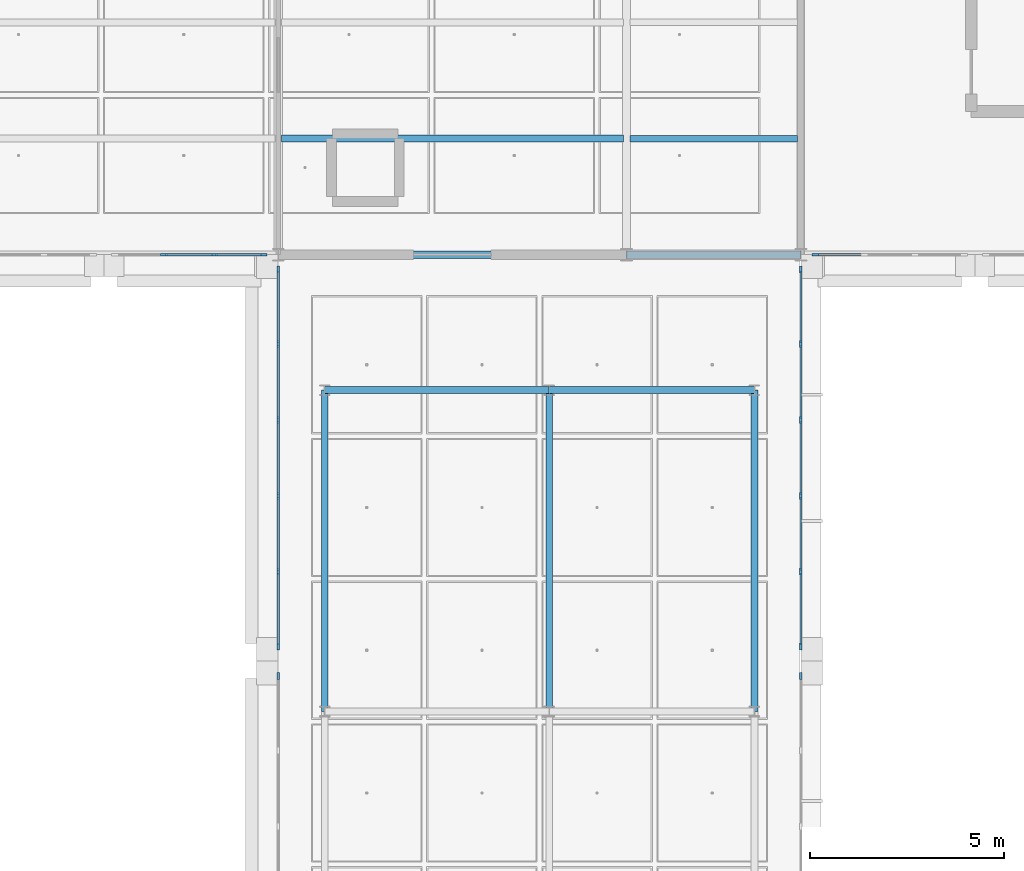
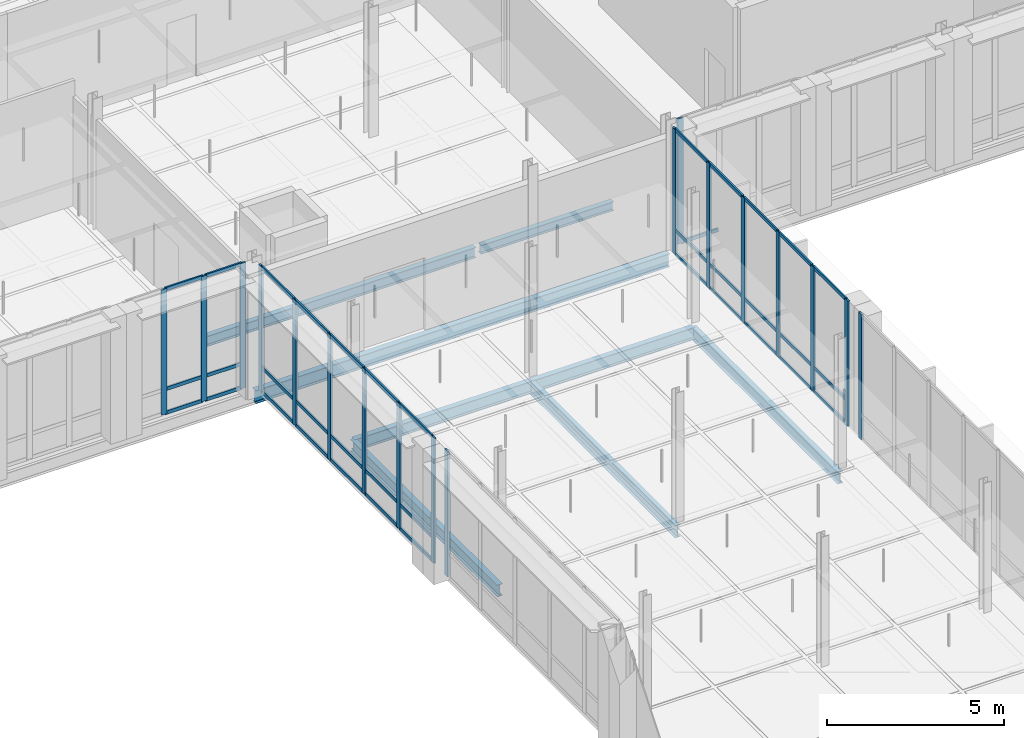
# One storey, part 39 of 130: 55 members, 9 beams, 6 elements without a shape of their own.
"""IFC4 building model written with IfcOpenShell, lengths in metres."""

from ifc_helpers import new_model, si_unit, direction, frame, origin, origin_2d, place, context, subcontext, project, spatial, rectangle, i_section, extrude, material, material_profile, profile_set, type_object, element, aggregate, save


model = new_model("IFC4")

# Units and contexts
model_context = context("Model", 3, precision=1e-05, world=origin(), true_north=direction((0.0, 1.0)))
body_context = subcontext(model_context, "Body", "Model", "MODEL_VIEW")
ifc_project = project(units=[si_unit("LENGTHUNIT", "METRE"), si_unit("AREAUNIT", "SQUARE_METRE"), si_unit("VOLUMEUNIT", "CUBIC_METRE"), si_unit("PLANEANGLEUNIT", "RADIAN"), si_unit("MASSUNIT", "GRAM", prefix="KILO"), si_unit("THERMODYNAMICTEMPERATUREUNIT", "KELVIN"), si_unit("POWERUNIT", "WATT")], contexts=[model_context])

# Site, building, storey
site_placement = place(None, origin())
site = spatial("IfcSite", under=ifc_project, at=site_placement, CompositionType="ELEMENT")
building_placement = place(site_placement, origin())
building = spatial("IfcBuilding", under=site, at=building_placement, Name="Tallowbark Science Centre", CompositionType="ELEMENT")
storey_placement = place(building_placement, frame((0.0, 0.0, 5.39990234375)))
storey = spatial("IfcBuildingStorey", under=building, at=storey_placement, Name="L01", CompositionType="ELEMENT", Elevation=5.39990234375)

# Beams
ifc_material_1 = material(Name="Structural Steel Grade 300PLUS (300 MPa)", Category="steel")
ifc_material_profile_1 = material_profile(ifc_material_1, i_section(OverallWidth=0.177734375, OverallDepth=0.406494140625, WebThickness=0.0078125, FlangeThickness=0.0126953125, FilletRadius=0.011474609375, at=origin_2d()), Name="410UB59.7")
ifc_profile_set_1 = profile_set([ifc_material_profile_1], Name="Structural Steel Grade 300PLUS (300 MPa)")
beam_type_1 = type_object("IfcBeamType", Name="BM-UB410", PredefinedType="BEAM", material=ifc_profile_set_1)
beam_1_placement = place(storey_placement, frame((100.199951171875, 68.5, -0.383056640625), z_axis=(1.0, 0.0, 0.0), x_axis=(0.0, 1.0, 0.0)))
element("IfcBeam", 1, at=beam_1_placement, inside=storey, type_object=beam_type_1, Name="Primary Girder GRDX-L01-1002-1060-685", PredefinedType="BEAM", context=body_context, shape_type="SweptSolid", body=[
    extrude(i_section(OverallWidth=0.177734375, OverallDepth=0.406494140625, WebThickness=0.0078125, FlangeThickness=0.0126953125, FilletRadius=0.011474609375, at=origin_2d()), origin(), (0.0, 0.0, 1.0), 5.800048828125),
])
beam_2_placement = place(storey_placement, frame((106.0, 68.5, -0.383056640625), z_axis=(1.0, 0.0, 0.0), x_axis=(0.0, 1.0, 0.0)))
element("IfcBeam", 2, at=beam_2_placement, inside=storey, type_object=beam_type_1, Name="Primary Girder GRDX-L01-1060-1113-685", PredefinedType="BEAM", context=body_context, shape_type="SweptSolid", body=[
    extrude(i_section(OverallWidth=0.177734375, OverallDepth=0.406494140625, WebThickness=0.0078125, FlangeThickness=0.0126953125, FilletRadius=0.011474609375, at=origin_2d()), origin(), (0.0, 0.0, 1.0), 5.300048828125),
])
for number, where, z_axis, x_axis, name in (
    (3, (100.199951171875, 60.199951171875, -0.383056640625), (0.0, 1.0, 0.0), (-1.0, 0.0, 0.0), "Primary Girder GRDY-L01-1002-602-685"),
    (4, (106.0, 60.199951171875, -0.383056640625), (0.0, 1.0, 0.0), (-1.0, 0.0, 0.0), "Primary Girder GRDY-L01-1060-602-685"),
    (5, (111.300048828125, 60.199951171875, -0.383056640625), (0.0, 1.0, 0.0), (-1.0, 0.0, 0.0), "Primary Girder GRDY-L01-1113-602-685"),
):
    element("IfcBeam", number, at=place(storey_placement, frame(where, z_axis=z_axis, x_axis=x_axis)), inside=storey, type_object=beam_type_1, Name=name, PredefinedType="BEAM", context=body_context, shape_type="SweptSolid", body=[
        extrude(i_section(OverallWidth=0.177734375, OverallDepth=0.406494140625, WebThickness=0.0078125, FlangeThickness=0.0126953125, FilletRadius=0.011474609375, at=origin_2d()), origin(), (0.0, 0.0, 1.0), 8.300048828125),
    ])

# Curtain wall, member
ifc_material_2 = material(Name="Unitised Thermally Broken Aluminium and Low-E Double Glazing", Category="aluminium")
curtain_wall_type = type_object("IfcCurtainWallType", Name="CW-SYS-FACADE", PredefinedType="NOTDEFINED", material=ifc_material_2)
curtain_wall_1_placement = place(storey_placement, origin())
curtain_wall_1 = element("IfcCurtainWall", 6, at=curtain_wall_1_placement, inside=storey, type_object=curtain_wall_type, Name="Unitised Curtain Wall LNK-W-1 CW-L01-012", PredefinedType="NOTDEFINED")
ifc_material_3 = material(Name="Anodised Architectural Aluminium Alloy 6063-T6", Category="aluminium")
ifc_material_profile_2 = material_profile(ifc_material_3, rectangle(XDim=0.06494140625, YDim=0.179931640625, at=origin_2d()), Name="ALU65x180")
ifc_profile_set_2 = profile_set([ifc_material_profile_2], Name="Anodised Architectural Aluminium Alloy 6063-T6")
member_type_1 = type_object("IfcMemberType", Name="CWM-MUL-220", PredefinedType="MULLION", material=ifc_profile_set_2)
member_1_placement = place(storey_placement, frame((99.0, 61.117431640625, 0.0), z_axis=(0.0, 0.0, 1.0), x_axis=(1.0, 0.0, 0.0)))
member_1 = element("IfcMember", 7, at=member_1_placement, type_object=member_type_1, Name="CW-01 mullion 1", PredefinedType="MULLION", context=body_context, shape_type="SweptSolid", body=[
    extrude(rectangle(XDim=0.06494140625, YDim=0.179931640625, at=origin_2d()), origin(), (0.0, 0.0, 1.0), 4.320068359375),
])
aggregate(curtain_wall_1, [member_1])

curtain_wall_2_placement = place(storey_placement, origin())
curtain_wall_2 = element("IfcCurtainWall", 8, at=curtain_wall_2_placement, inside=storey, type_object=curtain_wall_type, Name="Unitised Curtain Wall LNK-E-1 CW-L01-013", PredefinedType="NOTDEFINED")
member_2_placement = place(storey_placement, frame((112.5, 61.117431640625, 0.0), z_axis=(0.0, 0.0, 1.0), x_axis=(-1.0, 0.0, 0.0)))
member_2 = element("IfcMember", 9, at=member_2_placement, type_object=member_type_1, Name="CW-01 mullion 6", PredefinedType="MULLION", context=body_context, shape_type="SweptSolid", body=[
    extrude(rectangle(XDim=0.06494140625, YDim=0.179931640625, at=origin_2d()), origin(), (0.0, 0.0, 1.0), 4.320068359375),
])
aggregate(curtain_wall_2, [member_2])

# Curtain wall, members
curtain_wall_3_placement = place(storey_placement, origin())
curtain_wall_3 = element("IfcCurtainWall", 10, at=curtain_wall_3_placement, inside=storey, type_object=curtain_wall_type, Name="Unitised Curtain Wall LNK-W-2 CW-L01-014", PredefinedType="NOTDEFINED")
member_3_placement = place(storey_placement, frame((99.0, 71.617431640625, 0.0), z_axis=(0.0, 0.0, 1.0), x_axis=(1.0, 0.0, 0.0)))
member_3 = element("IfcMember", 11, at=member_3_placement, type_object=member_type_1, Name="CW-01 mullion 1", PredefinedType="MULLION", context=body_context, shape_type="SweptSolid", body=[
    extrude(rectangle(XDim=0.06494140625, YDim=0.179931640625, at=origin_2d()), origin(), (0.0, 0.0, 1.0), 4.320068359375),
])
member_4_placement = place(storey_placement, frame((99.0, 69.68994140625, 0.0), z_axis=(0.0, 0.0, 1.0), x_axis=(1.0, 0.0, 0.0)))
member_4 = element("IfcMember", 12, at=member_4_placement, type_object=member_type_1, Name="CW-01 mullion 2", PredefinedType="MULLION", context=body_context, shape_type="SweptSolid", body=[
    extrude(rectangle(XDim=0.06494140625, YDim=0.179931640625, at=origin_2d()), origin(), (0.0, 0.0, 1.0), 4.320068359375),
])
member_5_placement = place(storey_placement, frame((99.0, 67.72998046875, 0.0), z_axis=(0.0, 0.0, 1.0), x_axis=(1.0, 0.0, 0.0)))
member_5 = element("IfcMember", 13, at=member_5_placement, type_object=member_type_1, Name="CW-01 mullion 3", PredefinedType="MULLION", context=body_context, shape_type="SweptSolid", body=[
    extrude(rectangle(XDim=0.06494140625, YDim=0.179931640625, at=origin_2d()), origin(), (0.0, 0.0, 1.0), 4.320068359375),
])
member_6_placement = place(storey_placement, frame((99.0, 65.77001953125, 0.0), z_axis=(0.0, 0.0, 1.0), x_axis=(1.0, 0.0, 0.0)))
member_6 = element("IfcMember", 14, at=member_6_placement, type_object=member_type_1, Name="CW-01 mullion 4", PredefinedType="MULLION", context=body_context, shape_type="SweptSolid", body=[
    extrude(rectangle(XDim=0.06494140625, YDim=0.179931640625, at=origin_2d()), origin(), (0.0, 0.0, 1.0), 4.320068359375),
])
member_7_placement = place(storey_placement, frame((99.0, 63.81005859375, 0.0), z_axis=(0.0, 0.0, 1.0), x_axis=(1.0, 0.0, 0.0)))
member_7 = element("IfcMember", 15, at=member_7_placement, type_object=member_type_1, Name="CW-01 mullion 5", PredefinedType="MULLION", context=body_context, shape_type="SweptSolid", body=[
    extrude(rectangle(XDim=0.06494140625, YDim=0.179931640625, at=origin_2d()), origin(), (0.0, 0.0, 1.0), 4.320068359375),
])
member_8_placement = place(storey_placement, frame((99.0, 61.882568359375, 0.0), z_axis=(0.0, 0.0, 1.0), x_axis=(1.0, 0.0, 0.0)))
member_8 = element("IfcMember", 16, at=member_8_placement, type_object=member_type_1, Name="CW-01 mullion 6", PredefinedType="MULLION", context=body_context, shape_type="SweptSolid", body=[
    extrude(rectangle(XDim=0.06494140625, YDim=0.179931640625, at=origin_2d()), origin(), (0.0, 0.0, 1.0), 4.320068359375),
])

curtain_wall_4_placement = place(storey_placement, origin())
curtain_wall_4 = element("IfcCurtainWall", 17, at=curtain_wall_4_placement, inside=storey, type_object=curtain_wall_type, Name="Unitised Curtain Wall LNK-E-2 CW-L01-015", PredefinedType="NOTDEFINED")
member_9_placement = place(storey_placement, frame((112.5, 61.882568359375, 0.0), z_axis=(0.0, 0.0, 1.0), x_axis=(-1.0, 0.0, 0.0)))
member_9 = element("IfcMember", 18, at=member_9_placement, type_object=member_type_1, Name="CW-01 mullion 1", PredefinedType="MULLION", context=body_context, shape_type="SweptSolid", body=[
    extrude(rectangle(XDim=0.06494140625, YDim=0.179931640625, at=origin_2d()), origin(), (0.0, 0.0, 1.0), 4.320068359375),
])
member_10_placement = place(storey_placement, frame((112.5, 63.81005859375, 0.0), z_axis=(0.0, 0.0, 1.0), x_axis=(-1.0, 0.0, 0.0)))
member_10 = element("IfcMember", 19, at=member_10_placement, type_object=member_type_1, Name="CW-01 mullion 2", PredefinedType="MULLION", context=body_context, shape_type="SweptSolid", body=[
    extrude(rectangle(XDim=0.06494140625, YDim=0.179931640625, at=origin_2d()), origin(), (0.0, 0.0, 1.0), 4.320068359375),
])
member_11_placement = place(storey_placement, frame((112.5, 65.77001953125, 0.0), z_axis=(0.0, 0.0, 1.0), x_axis=(-1.0, 0.0, 0.0)))
member_11 = element("IfcMember", 20, at=member_11_placement, type_object=member_type_1, Name="CW-01 mullion 3", PredefinedType="MULLION", context=body_context, shape_type="SweptSolid", body=[
    extrude(rectangle(XDim=0.06494140625, YDim=0.179931640625, at=origin_2d()), origin(), (0.0, 0.0, 1.0), 4.320068359375),
])
member_12_placement = place(storey_placement, frame((112.5, 67.72998046875, 0.0), z_axis=(0.0, 0.0, 1.0), x_axis=(-1.0, 0.0, 0.0)))
member_12 = element("IfcMember", 21, at=member_12_placement, type_object=member_type_1, Name="CW-01 mullion 4", PredefinedType="MULLION", context=body_context, shape_type="SweptSolid", body=[
    extrude(rectangle(XDim=0.06494140625, YDim=0.179931640625, at=origin_2d()), origin(), (0.0, 0.0, 1.0), 4.320068359375),
])
member_13_placement = place(storey_placement, frame((112.5, 69.68994140625, 0.0), z_axis=(0.0, 0.0, 1.0), x_axis=(-1.0, 0.0, 0.0)))
member_13 = element("IfcMember", 22, at=member_13_placement, type_object=member_type_1, Name="CW-01 mullion 5", PredefinedType="MULLION", context=body_context, shape_type="SweptSolid", body=[
    extrude(rectangle(XDim=0.06494140625, YDim=0.179931640625, at=origin_2d()), origin(), (0.0, 0.0, 1.0), 4.320068359375),
])
member_14_placement = place(storey_placement, frame((112.5, 71.617431640625, 0.0), z_axis=(0.0, 0.0, 1.0), x_axis=(-1.0, 0.0, 0.0)))
member_14 = element("IfcMember", 23, at=member_14_placement, type_object=member_type_1, Name="CW-01 mullion 6", PredefinedType="MULLION", context=body_context, shape_type="SweptSolid", body=[
    extrude(rectangle(XDim=0.06494140625, YDim=0.179931640625, at=origin_2d()), origin(), (0.0, 0.0, 1.0), 4.320068359375),
])

curtain_wall_5_placement = place(storey_placement, origin())
curtain_wall_5 = element("IfcCurtainWall", 24, at=curtain_wall_5_placement, inside=storey, type_object=curtain_wall_type, Name="Unitised Curtain Wall LAB-S-90B CW-L01-044", PredefinedType="NOTDEFINED")
member_15_placement = place(storey_placement, frame((96.050048828125, 72.0, 0.0), z_axis=(0.0, 0.0, 1.0), x_axis=(0.0, 1.0, 0.0)))
member_15 = element("IfcMember", 25, at=member_15_placement, type_object=member_type_1, Name="CW-01 mullion 2", PredefinedType="MULLION", context=body_context, shape_type="SweptSolid", body=[
    extrude(rectangle(XDim=0.06494140625, YDim=0.179931640625, at=origin_2d()), origin(), (0.0, 0.0, 1.0), 4.320068359375),
])
member_16_placement = place(storey_placement, frame((97.35009765625, 72.0, 0.0), z_axis=(0.0, 0.0, 1.0), x_axis=(0.0, 1.0, 0.0)))
member_16 = element("IfcMember", 26, at=member_16_placement, type_object=member_type_1, Name="CW-01 mullion 3", PredefinedType="MULLION", context=body_context, shape_type="SweptSolid", body=[
    extrude(rectangle(XDim=0.06494140625, YDim=0.179931640625, at=origin_2d()), origin(), (0.0, 0.0, 1.0), 4.320068359375),
])
member_17_placement = place(storey_placement, frame((98.617431640625, 72.0, 0.0), z_axis=(0.0, 0.0, 1.0), x_axis=(0.0, 1.0, 0.0)))
member_17 = element("IfcMember", 27, at=member_17_placement, type_object=member_type_1, Name="CW-01 mullion 4", PredefinedType="MULLION", context=body_context, shape_type="SweptSolid", body=[
    extrude(rectangle(XDim=0.06494140625, YDim=0.179931640625, at=origin_2d()), origin(), (0.0, 0.0, 1.0), 4.320068359375),
])

# Curtain wall, member
curtain_wall_6_placement = place(storey_placement, origin())
curtain_wall_6 = element("IfcCurtainWall", 28, at=curtain_wall_6_placement, inside=storey, type_object=curtain_wall_type, Name="Unitised Curtain Wall OBS-S-112A CW-L01-112", PredefinedType="NOTDEFINED")
member_18_placement = place(storey_placement, frame((112.882568359375, 72.0, 0.0), z_axis=(0.0, 0.0, 1.0), x_axis=(0.0, 1.0, 0.0)))
member_18 = element("IfcMember", 29, at=member_18_placement, type_object=member_type_1, Name="CW-01 mullion 1", PredefinedType="MULLION", context=body_context, shape_type="SweptSolid", body=[
    extrude(rectangle(XDim=0.06494140625, YDim=0.179931640625, at=origin_2d()), origin(), (0.0, 0.0, 1.0), 4.320068359375),
])

# Member
ifc_material_profile_3 = material_profile(ifc_material_3, rectangle(XDim=0.054931640625, YDim=0.1201171875, at=origin_2d()), Name="ALU55x120")
ifc_profile_set_3 = profile_set([ifc_material_profile_3], Name="Anodised Architectural Aluminium Alloy 6063-T6")
member_type_2 = type_object("IfcMemberType", Name="CWM-TRN-150", PredefinedType="USERDEFINED", material=ifc_profile_set_3)
member_19_placement = place(storey_placement, frame((99.0, 71.5849609375, 0.027587890625), z_axis=(0.0, -1.0, 0.0), x_axis=(1.0, 0.0, 0.0)))
member_19 = element("IfcMember", 30, at=member_19_placement, type_object=member_type_2, Name="CW-01 transom 1.1", ObjectType="TRANSOM", PredefinedType="USERDEFINED", context=body_context, shape_type="SweptSolid", body=[
    extrude(rectangle(XDim=0.054931640625, YDim=0.1201171875, at=origin_2d()), origin(), (0.0, 0.0, 1.0), 1.862548828125),
])

member_20_placement = place(storey_placement, frame((99.0, 71.5849609375, 0.85009765625), z_axis=(0.0, -1.0, 0.0), x_axis=(1.0, 0.0, 0.0)))
member_20 = element("IfcMember", 31, at=member_20_placement, type_object=member_type_2, Name="CW-01 transom 1.2", ObjectType="TRANSOM", PredefinedType="USERDEFINED", context=body_context, shape_type="SweptSolid", body=[
    extrude(rectangle(XDim=0.054931640625, YDim=0.1201171875, at=origin_2d()), origin(), (0.0, 0.0, 1.0), 1.862548828125),
])

member_21_placement = place(storey_placement, frame((99.0, 71.5849609375, 4.29248046875), z_axis=(0.0, -1.0, 0.0), x_axis=(1.0, 0.0, 0.0)))
member_21 = element("IfcMember", 32, at=member_21_placement, type_object=member_type_2, Name="CW-01 transom 1.3", ObjectType="TRANSOM", PredefinedType="USERDEFINED", context=body_context, shape_type="SweptSolid", body=[
    extrude(rectangle(XDim=0.054931640625, YDim=0.1201171875, at=origin_2d()), origin(), (0.0, 0.0, 1.0), 1.862548828125),
])

member_22_placement = place(storey_placement, frame((99.0, 69.657470703125, 0.027587890625), z_axis=(0.0, -1.0, 0.0), x_axis=(1.0, 0.0, 0.0)))
member_22 = element("IfcMember", 33, at=member_22_placement, type_object=member_type_2, Name="CW-01 transom 2.1", ObjectType="TRANSOM", PredefinedType="USERDEFINED", context=body_context, shape_type="SweptSolid", body=[
    extrude(rectangle(XDim=0.054931640625, YDim=0.1201171875, at=origin_2d()), origin(), (0.0, 0.0, 1.0), 1.89501953125),
])

member_23_placement = place(storey_placement, frame((99.0, 69.657470703125, 0.85009765625), z_axis=(0.0, -1.0, 0.0), x_axis=(1.0, 0.0, 0.0)))
member_23 = element("IfcMember", 34, at=member_23_placement, type_object=member_type_2, Name="CW-01 transom 2.2", ObjectType="TRANSOM", PredefinedType="USERDEFINED", context=body_context, shape_type="SweptSolid", body=[
    extrude(rectangle(XDim=0.054931640625, YDim=0.1201171875, at=origin_2d()), origin(), (0.0, 0.0, 1.0), 1.89501953125),
])

member_24_placement = place(storey_placement, frame((99.0, 69.657470703125, 4.29248046875), z_axis=(0.0, -1.0, 0.0), x_axis=(1.0, 0.0, 0.0)))
member_24 = element("IfcMember", 35, at=member_24_placement, type_object=member_type_2, Name="CW-01 transom 2.3", ObjectType="TRANSOM", PredefinedType="USERDEFINED", context=body_context, shape_type="SweptSolid", body=[
    extrude(rectangle(XDim=0.054931640625, YDim=0.1201171875, at=origin_2d()), origin(), (0.0, 0.0, 1.0), 1.89501953125),
])

member_25_placement = place(storey_placement, frame((99.0, 67.697509765625, 0.027587890625), z_axis=(0.0, -1.0, 0.0), x_axis=(1.0, 0.0, 0.0)))
member_25 = element("IfcMember", 36, at=member_25_placement, type_object=member_type_2, Name="CW-01 transom 3.1", ObjectType="TRANSOM", PredefinedType="USERDEFINED", context=body_context, shape_type="SweptSolid", body=[
    extrude(rectangle(XDim=0.054931640625, YDim=0.1201171875, at=origin_2d()), origin(), (0.0, 0.0, 1.0), 1.89501953125),
])

member_26_placement = place(storey_placement, frame((99.0, 67.697509765625, 0.85009765625), z_axis=(0.0, -1.0, 0.0), x_axis=(1.0, 0.0, 0.0)))
member_26 = element("IfcMember", 37, at=member_26_placement, type_object=member_type_2, Name="CW-01 transom 3.2", ObjectType="TRANSOM", PredefinedType="USERDEFINED", context=body_context, shape_type="SweptSolid", body=[
    extrude(rectangle(XDim=0.054931640625, YDim=0.1201171875, at=origin_2d()), origin(), (0.0, 0.0, 1.0), 1.89501953125),
])

member_27_placement = place(storey_placement, frame((99.0, 67.697509765625, 4.29248046875), z_axis=(0.0, -1.0, 0.0), x_axis=(1.0, 0.0, 0.0)))
member_27 = element("IfcMember", 38, at=member_27_placement, type_object=member_type_2, Name="CW-01 transom 3.3", ObjectType="TRANSOM", PredefinedType="USERDEFINED", context=body_context, shape_type="SweptSolid", body=[
    extrude(rectangle(XDim=0.054931640625, YDim=0.1201171875, at=origin_2d()), origin(), (0.0, 0.0, 1.0), 1.89501953125),
])

member_28_placement = place(storey_placement, frame((99.0, 65.737548828125, 0.027587890625), z_axis=(0.0, -1.0, 0.0), x_axis=(1.0, 0.0, 0.0)))
member_28 = element("IfcMember", 39, at=member_28_placement, type_object=member_type_2, Name="CW-01 transom 4.1", ObjectType="TRANSOM", PredefinedType="USERDEFINED", context=body_context, shape_type="SweptSolid", body=[
    extrude(rectangle(XDim=0.054931640625, YDim=0.1201171875, at=origin_2d()), origin(), (0.0, 0.0, 1.0), 1.89501953125),
])

member_29_placement = place(storey_placement, frame((99.0, 65.737548828125, 0.85009765625), z_axis=(0.0, -1.0, 0.0), x_axis=(1.0, 0.0, 0.0)))
member_29 = element("IfcMember", 40, at=member_29_placement, type_object=member_type_2, Name="CW-01 transom 4.2", ObjectType="TRANSOM", PredefinedType="USERDEFINED", context=body_context, shape_type="SweptSolid", body=[
    extrude(rectangle(XDim=0.054931640625, YDim=0.1201171875, at=origin_2d()), origin(), (0.0, 0.0, 1.0), 1.89501953125),
])

member_30_placement = place(storey_placement, frame((99.0, 65.737548828125, 4.29248046875), z_axis=(0.0, -1.0, 0.0), x_axis=(1.0, 0.0, 0.0)))
member_30 = element("IfcMember", 41, at=member_30_placement, type_object=member_type_2, Name="CW-01 transom 4.3", ObjectType="TRANSOM", PredefinedType="USERDEFINED", context=body_context, shape_type="SweptSolid", body=[
    extrude(rectangle(XDim=0.054931640625, YDim=0.1201171875, at=origin_2d()), origin(), (0.0, 0.0, 1.0), 1.89501953125),
])

member_31_placement = place(storey_placement, frame((99.0, 63.777587890625, 0.027587890625), z_axis=(0.0, -1.0, 0.0), x_axis=(1.0, 0.0, 0.0)))
member_31 = element("IfcMember", 42, at=member_31_placement, type_object=member_type_2, Name="CW-01 transom 5.1", ObjectType="TRANSOM", PredefinedType="USERDEFINED", context=body_context, shape_type="SweptSolid", body=[
    extrude(rectangle(XDim=0.054931640625, YDim=0.1201171875, at=origin_2d()), origin(), (0.0, 0.0, 1.0), 1.862548828125),
])

member_32_placement = place(storey_placement, frame((99.0, 63.777587890625, 0.85009765625), z_axis=(0.0, -1.0, 0.0), x_axis=(1.0, 0.0, 0.0)))
member_32 = element("IfcMember", 43, at=member_32_placement, type_object=member_type_2, Name="CW-01 transom 5.2", ObjectType="TRANSOM", PredefinedType="USERDEFINED", context=body_context, shape_type="SweptSolid", body=[
    extrude(rectangle(XDim=0.054931640625, YDim=0.1201171875, at=origin_2d()), origin(), (0.0, 0.0, 1.0), 1.862548828125),
])

member_33_placement = place(storey_placement, frame((99.0, 63.777587890625, 4.29248046875), z_axis=(0.0, -1.0, 0.0), x_axis=(1.0, 0.0, 0.0)))
member_33 = element("IfcMember", 44, at=member_33_placement, type_object=member_type_2, Name="CW-01 transom 5.3", ObjectType="TRANSOM", PredefinedType="USERDEFINED", context=body_context, shape_type="SweptSolid", body=[
    extrude(rectangle(XDim=0.054931640625, YDim=0.1201171875, at=origin_2d()), origin(), (0.0, 0.0, 1.0), 1.862548828125),
])

aggregate(curtain_wall_3, [member_3, member_4, member_5, member_6, member_7, member_8, member_19, member_20, member_21, member_22, member_23, member_24, member_25, member_26, member_27, member_28, member_29, member_30, member_31, member_32, member_33])

member_34_placement = place(storey_placement, frame((112.5, 61.9150390625, 0.027587890625), z_axis=(0.0, 1.0, 0.0), x_axis=(-1.0, 0.0, 0.0)))
member_34 = element("IfcMember", 45, at=member_34_placement, type_object=member_type_2, Name="CW-01 transom 1.1", ObjectType="TRANSOM", PredefinedType="USERDEFINED", context=body_context, shape_type="SweptSolid", body=[
    extrude(rectangle(XDim=0.054931640625, YDim=0.1201171875, at=origin_2d()), origin(), (0.0, 0.0, 1.0), 1.862548828125),
])

member_35_placement = place(storey_placement, frame((112.5, 61.9150390625, 0.85009765625), z_axis=(0.0, 1.0, 0.0), x_axis=(-1.0, 0.0, 0.0)))
member_35 = element("IfcMember", 46, at=member_35_placement, type_object=member_type_2, Name="CW-01 transom 1.2", ObjectType="TRANSOM", PredefinedType="USERDEFINED", context=body_context, shape_type="SweptSolid", body=[
    extrude(rectangle(XDim=0.054931640625, YDim=0.1201171875, at=origin_2d()), origin(), (0.0, 0.0, 1.0), 1.862548828125),
])

member_36_placement = place(storey_placement, frame((112.5, 61.9150390625, 4.29248046875), z_axis=(0.0, 1.0, 0.0), x_axis=(-1.0, 0.0, 0.0)))
member_36 = element("IfcMember", 47, at=member_36_placement, type_object=member_type_2, Name="CW-01 transom 1.3", ObjectType="TRANSOM", PredefinedType="USERDEFINED", context=body_context, shape_type="SweptSolid", body=[
    extrude(rectangle(XDim=0.054931640625, YDim=0.1201171875, at=origin_2d()), origin(), (0.0, 0.0, 1.0), 1.862548828125),
])

member_37_placement = place(storey_placement, frame((112.5, 63.842529296875, 0.027587890625), z_axis=(0.0, 1.0, 0.0), x_axis=(-1.0, 0.0, 0.0)))
member_37 = element("IfcMember", 48, at=member_37_placement, type_object=member_type_2, Name="CW-01 transom 2.1", ObjectType="TRANSOM", PredefinedType="USERDEFINED", context=body_context, shape_type="SweptSolid", body=[
    extrude(rectangle(XDim=0.054931640625, YDim=0.1201171875, at=origin_2d()), origin(), (0.0, 0.0, 1.0), 1.89501953125),
])

member_38_placement = place(storey_placement, frame((112.5, 63.842529296875, 0.85009765625), z_axis=(0.0, 1.0, 0.0), x_axis=(-1.0, 0.0, 0.0)))
member_38 = element("IfcMember", 49, at=member_38_placement, type_object=member_type_2, Name="CW-01 transom 2.2", ObjectType="TRANSOM", PredefinedType="USERDEFINED", context=body_context, shape_type="SweptSolid", body=[
    extrude(rectangle(XDim=0.054931640625, YDim=0.1201171875, at=origin_2d()), origin(), (0.0, 0.0, 1.0), 1.89501953125),
])

member_39_placement = place(storey_placement, frame((112.5, 63.842529296875, 4.29248046875), z_axis=(0.0, 1.0, 0.0), x_axis=(-1.0, 0.0, 0.0)))
member_39 = element("IfcMember", 50, at=member_39_placement, type_object=member_type_2, Name="CW-01 transom 2.3", ObjectType="TRANSOM", PredefinedType="USERDEFINED", context=body_context, shape_type="SweptSolid", body=[
    extrude(rectangle(XDim=0.054931640625, YDim=0.1201171875, at=origin_2d()), origin(), (0.0, 0.0, 1.0), 1.89501953125),
])

member_40_placement = place(storey_placement, frame((112.5, 65.802490234375, 0.027587890625), z_axis=(0.0, 1.0, 0.0), x_axis=(-1.0, 0.0, 0.0)))
member_40 = element("IfcMember", 51, at=member_40_placement, type_object=member_type_2, Name="CW-01 transom 3.1", ObjectType="TRANSOM", PredefinedType="USERDEFINED", context=body_context, shape_type="SweptSolid", body=[
    extrude(rectangle(XDim=0.054931640625, YDim=0.1201171875, at=origin_2d()), origin(), (0.0, 0.0, 1.0), 1.89501953125),
])

member_41_placement = place(storey_placement, frame((112.5, 65.802490234375, 0.85009765625), z_axis=(0.0, 1.0, 0.0), x_axis=(-1.0, 0.0, 0.0)))
member_41 = element("IfcMember", 52, at=member_41_placement, type_object=member_type_2, Name="CW-01 transom 3.2", ObjectType="TRANSOM", PredefinedType="USERDEFINED", context=body_context, shape_type="SweptSolid", body=[
    extrude(rectangle(XDim=0.054931640625, YDim=0.1201171875, at=origin_2d()), origin(), (0.0, 0.0, 1.0), 1.89501953125),
])

member_42_placement = place(storey_placement, frame((112.5, 65.802490234375, 4.29248046875), z_axis=(0.0, 1.0, 0.0), x_axis=(-1.0, 0.0, 0.0)))
member_42 = element("IfcMember", 53, at=member_42_placement, type_object=member_type_2, Name="CW-01 transom 3.3", ObjectType="TRANSOM", PredefinedType="USERDEFINED", context=body_context, shape_type="SweptSolid", body=[
    extrude(rectangle(XDim=0.054931640625, YDim=0.1201171875, at=origin_2d()), origin(), (0.0, 0.0, 1.0), 1.89501953125),
])

member_43_placement = place(storey_placement, frame((112.5, 67.762451171875, 0.027587890625), z_axis=(0.0, 1.0, 0.0), x_axis=(-1.0, 0.0, 0.0)))
member_43 = element("IfcMember", 54, at=member_43_placement, type_object=member_type_2, Name="CW-01 transom 4.1", ObjectType="TRANSOM", PredefinedType="USERDEFINED", context=body_context, shape_type="SweptSolid", body=[
    extrude(rectangle(XDim=0.054931640625, YDim=0.1201171875, at=origin_2d()), origin(), (0.0, 0.0, 1.0), 1.89501953125),
])

member_44_placement = place(storey_placement, frame((112.5, 67.762451171875, 0.85009765625), z_axis=(0.0, 1.0, 0.0), x_axis=(-1.0, 0.0, 0.0)))
member_44 = element("IfcMember", 55, at=member_44_placement, type_object=member_type_2, Name="CW-01 transom 4.2", ObjectType="TRANSOM", PredefinedType="USERDEFINED", context=body_context, shape_type="SweptSolid", body=[
    extrude(rectangle(XDim=0.054931640625, YDim=0.1201171875, at=origin_2d()), origin(), (0.0, 0.0, 1.0), 1.89501953125),
])

member_45_placement = place(storey_placement, frame((112.5, 67.762451171875, 4.29248046875), z_axis=(0.0, 1.0, 0.0), x_axis=(-1.0, 0.0, 0.0)))
member_45 = element("IfcMember", 56, at=member_45_placement, type_object=member_type_2, Name="CW-01 transom 4.3", ObjectType="TRANSOM", PredefinedType="USERDEFINED", context=body_context, shape_type="SweptSolid", body=[
    extrude(rectangle(XDim=0.054931640625, YDim=0.1201171875, at=origin_2d()), origin(), (0.0, 0.0, 1.0), 1.89501953125),
])

member_46_placement = place(storey_placement, frame((112.5, 69.722412109375, 0.027587890625), z_axis=(0.0, 1.0, 0.0), x_axis=(-1.0, 0.0, 0.0)))
member_46 = element("IfcMember", 57, at=member_46_placement, type_object=member_type_2, Name="CW-01 transom 5.1", ObjectType="TRANSOM", PredefinedType="USERDEFINED", context=body_context, shape_type="SweptSolid", body=[
    extrude(rectangle(XDim=0.054931640625, YDim=0.1201171875, at=origin_2d()), origin(), (0.0, 0.0, 1.0), 1.862548828125),
])

member_47_placement = place(storey_placement, frame((112.5, 69.722412109375, 0.85009765625), z_axis=(0.0, 1.0, 0.0), x_axis=(-1.0, 0.0, 0.0)))
member_47 = element("IfcMember", 58, at=member_47_placement, type_object=member_type_2, Name="CW-01 transom 5.2", ObjectType="TRANSOM", PredefinedType="USERDEFINED", context=body_context, shape_type="SweptSolid", body=[
    extrude(rectangle(XDim=0.054931640625, YDim=0.1201171875, at=origin_2d()), origin(), (0.0, 0.0, 1.0), 1.862548828125),
])

member_48_placement = place(storey_placement, frame((112.5, 69.722412109375, 4.29248046875), z_axis=(0.0, 1.0, 0.0), x_axis=(-1.0, 0.0, 0.0)))
member_48 = element("IfcMember", 59, at=member_48_placement, type_object=member_type_2, Name="CW-01 transom 5.3", ObjectType="TRANSOM", PredefinedType="USERDEFINED", context=body_context, shape_type="SweptSolid", body=[
    extrude(rectangle(XDim=0.054931640625, YDim=0.1201171875, at=origin_2d()), origin(), (0.0, 0.0, 1.0), 1.862548828125),
])

aggregate(curtain_wall_4, [member_9, member_10, member_11, member_12, member_13, member_14, member_34, member_35, member_36, member_37, member_38, member_39, member_40, member_41, member_42, member_43, member_44, member_45, member_46, member_47, member_48])

member_49_placement = place(storey_placement, frame((96.08251953125, 72.0, 0.027587890625), z_axis=(1.0, 0.0, 0.0), x_axis=(0.0, 1.0, 0.0)))
member_49 = element("IfcMember", 60, at=member_49_placement, type_object=member_type_2, Name="CW-01 transom 2.1", ObjectType="TRANSOM", PredefinedType="USERDEFINED", context=body_context, shape_type="SweptSolid", body=[
    extrude(rectangle(XDim=0.054931640625, YDim=0.1201171875, at=origin_2d()), origin(), (0.0, 0.0, 1.0), 1.23486328125),
])

member_50_placement = place(storey_placement, frame((96.08251953125, 72.0, 0.85009765625), z_axis=(1.0, 0.0, 0.0), x_axis=(0.0, 1.0, 0.0)))
member_50 = element("IfcMember", 61, at=member_50_placement, type_object=member_type_2, Name="CW-01 transom 2.2", ObjectType="TRANSOM", PredefinedType="USERDEFINED", context=body_context, shape_type="SweptSolid", body=[
    extrude(rectangle(XDim=0.054931640625, YDim=0.1201171875, at=origin_2d()), origin(), (0.0, 0.0, 1.0), 1.23486328125),
])

member_51_placement = place(storey_placement, frame((96.08251953125, 72.0, 4.29248046875), z_axis=(1.0, 0.0, 0.0), x_axis=(0.0, 1.0, 0.0)))
member_51 = element("IfcMember", 62, at=member_51_placement, type_object=member_type_2, Name="CW-01 transom 2.3", ObjectType="TRANSOM", PredefinedType="USERDEFINED", context=body_context, shape_type="SweptSolid", body=[
    extrude(rectangle(XDim=0.054931640625, YDim=0.1201171875, at=origin_2d()), origin(), (0.0, 0.0, 1.0), 1.23486328125),
])

member_52_placement = place(storey_placement, frame((97.382568359375, 72.0, 0.027587890625), z_axis=(1.0, 0.0, 0.0), x_axis=(0.0, 1.0, 0.0)))
member_52 = element("IfcMember", 63, at=member_52_placement, type_object=member_type_2, Name="CW-01 transom 3.1", ObjectType="TRANSOM", PredefinedType="USERDEFINED", context=body_context, shape_type="SweptSolid", body=[
    extrude(rectangle(XDim=0.054931640625, YDim=0.1201171875, at=origin_2d()), origin(), (0.0, 0.0, 1.0), 1.202392578125),
])

member_53_placement = place(storey_placement, frame((97.382568359375, 72.0, 0.85009765625), z_axis=(1.0, 0.0, 0.0), x_axis=(0.0, 1.0, 0.0)))
member_53 = element("IfcMember", 64, at=member_53_placement, type_object=member_type_2, Name="CW-01 transom 3.2", ObjectType="TRANSOM", PredefinedType="USERDEFINED", context=body_context, shape_type="SweptSolid", body=[
    extrude(rectangle(XDim=0.054931640625, YDim=0.1201171875, at=origin_2d()), origin(), (0.0, 0.0, 1.0), 1.202392578125),
])

member_54_placement = place(storey_placement, frame((97.382568359375, 72.0, 4.29248046875), z_axis=(1.0, 0.0, 0.0), x_axis=(0.0, 1.0, 0.0)))
member_54 = element("IfcMember", 65, at=member_54_placement, type_object=member_type_2, Name="CW-01 transom 3.3", ObjectType="TRANSOM", PredefinedType="USERDEFINED", context=body_context, shape_type="SweptSolid", body=[
    extrude(rectangle(XDim=0.054931640625, YDim=0.1201171875, at=origin_2d()), origin(), (0.0, 0.0, 1.0), 1.202392578125),
])

aggregate(curtain_wall_5, [member_15, member_16, member_17, member_49, member_50, member_51, member_52, member_53, member_54])

member_55_placement = place(storey_placement, frame((112.9150390625, 72.0, 0.027587890625), z_axis=(1.0, 0.0, 0.0), x_axis=(0.0, 1.0, 0.0)))
member_55 = element("IfcMember", 66, at=member_55_placement, type_object=member_type_2, Name="CW-01 transom 1.1", ObjectType="TRANSOM", PredefinedType="USERDEFINED", context=body_context, shape_type="SweptSolid", body=[
    extrude(rectangle(XDim=0.054931640625, YDim=0.1201171875, at=origin_2d()), origin(), (0.0, 0.0, 1.0), 1.202392578125),
])

aggregate(curtain_wall_6, [member_18, member_55])

# Beams
ifc_material_profile_4 = material_profile(ifc_material_1, i_section(OverallWidth=0.166015625, OverallDepth=0.30712890625, WebThickness=0.006591796875, FlangeThickness=0.01171875, FilletRadius=0.011474609375, at=origin_2d()), Name="310UB46.2")
ifc_profile_set_4 = profile_set([ifc_material_profile_4], Name="Structural Steel Grade 300PLUS (300 MPa)")
beam_type_2 = type_object("IfcBeamType", Name="JST-UB310", PredefinedType="JOIST", material=ifc_profile_set_4)
beam_3_placement = place(storey_placement, frame((108.0849609375, 75.0, -0.33349609375), z_axis=(1.0, 0.0, 0.0), x_axis=(0.0, 1.0, 0.0)))
element("IfcBeam", 67, at=beam_3_placement, inside=storey, type_object=beam_type_2, Name="Composite Floor Joist JSTX-L01-1080-750", PredefinedType="JOIST", context=body_context, shape_type="SweptSolid", body=[
    extrude(i_section(OverallWidth=0.166015625, OverallDepth=0.30712890625, WebThickness=0.006591796875, FlangeThickness=0.01171875, FilletRadius=0.011474609375, at=origin_2d()), origin(), (0.0, 0.0, 1.0), 4.330078125),
])
ifc_material_profile_5 = material_profile(ifc_material_1, i_section(OverallWidth=0.172119140625, OverallDepth=0.358642578125, WebThickness=0.008056640625, FlangeThickness=0.012939453125, FilletRadius=0.011474609375, at=origin_2d()), Name="360UB56.7")
ifc_profile_set_5 = profile_set([ifc_material_profile_5], Name="Structural Steel Grade 300PLUS (300 MPa)")
beam_type_3 = type_object("IfcBeamType", Name="JST-UB360", PredefinedType="JOIST", material=ifc_profile_set_5)
beam_4_placement = place(storey_placement, frame((99.0849609375, 75.0, -0.359130859375), z_axis=(1.0, 0.0, 0.0), x_axis=(0.0, 1.0, 0.0)))
element("IfcBeam", 68, at=beam_4_placement, inside=storey, type_object=beam_type_3, Name="Composite Floor Joist JSTX-L01-990-750", PredefinedType="JOIST", context=body_context, shape_type="SweptSolid", body=[
    extrude(i_section(OverallWidth=0.172119140625, OverallDepth=0.358642578125, WebThickness=0.008056640625, FlangeThickness=0.012939453125, FilletRadius=0.011474609375, at=origin_2d()), origin(), (0.0, 0.0, 1.0), 8.830078125),
])
ifc_material_profile_6 = material_profile(ifc_material_1, i_section(OverallWidth=0.18994140625, OverallDepth=0.453857421875, WebThickness=0.008544921875, FlangeThickness=0.0126953125, FilletRadius=0.011474609375, at=origin_2d()), Name="460UB67.1")
ifc_profile_set_6 = profile_set([ifc_material_profile_6], Name="Structural Steel Grade 300PLUS (300 MPa)")
beam_type_4 = type_object("IfcBeamType", Name="SPN-UB460", PredefinedType="SPANDREL", material=ifc_profile_set_6)
beam_5_placement = place(storey_placement, frame((99.0, 72.0, -0.40673828125), z_axis=(1.0, 0.0, 0.0), x_axis=(0.0, 1.0, 0.0)))
element("IfcBeam", 69, at=beam_5_placement, inside=storey, type_object=beam_type_4, Name="Primary Girder GRDX-L01-990-1080-720", PredefinedType="SPANDREL", context=body_context, shape_type="SweptSolid", body=[
    extrude(i_section(OverallWidth=0.18994140625, OverallDepth=0.453857421875, WebThickness=0.008544921875, FlangeThickness=0.0126953125, FilletRadius=0.011474609375, at=origin_2d()), origin(), (0.0, 0.0, 1.0), 9.0),
])
beam_6_placement = place(storey_placement, frame((108.0, 72.0, -0.40673828125), z_axis=(1.0, 0.0, 0.0), x_axis=(0.0, 1.0, 0.0)))
element("IfcBeam", 70, at=beam_6_placement, inside=storey, type_object=beam_type_4, Name="Primary Girder GRDX-L01-1080-1125-720", PredefinedType="SPANDREL", context=body_context, shape_type="SweptSolid", body=[
    extrude(i_section(OverallWidth=0.18994140625, OverallDepth=0.453857421875, WebThickness=0.008544921875, FlangeThickness=0.0126953125, FilletRadius=0.011474609375, at=origin_2d()), origin(), (0.0, 0.0, 1.0), 4.5),
])

save(model, "model.ifc")
